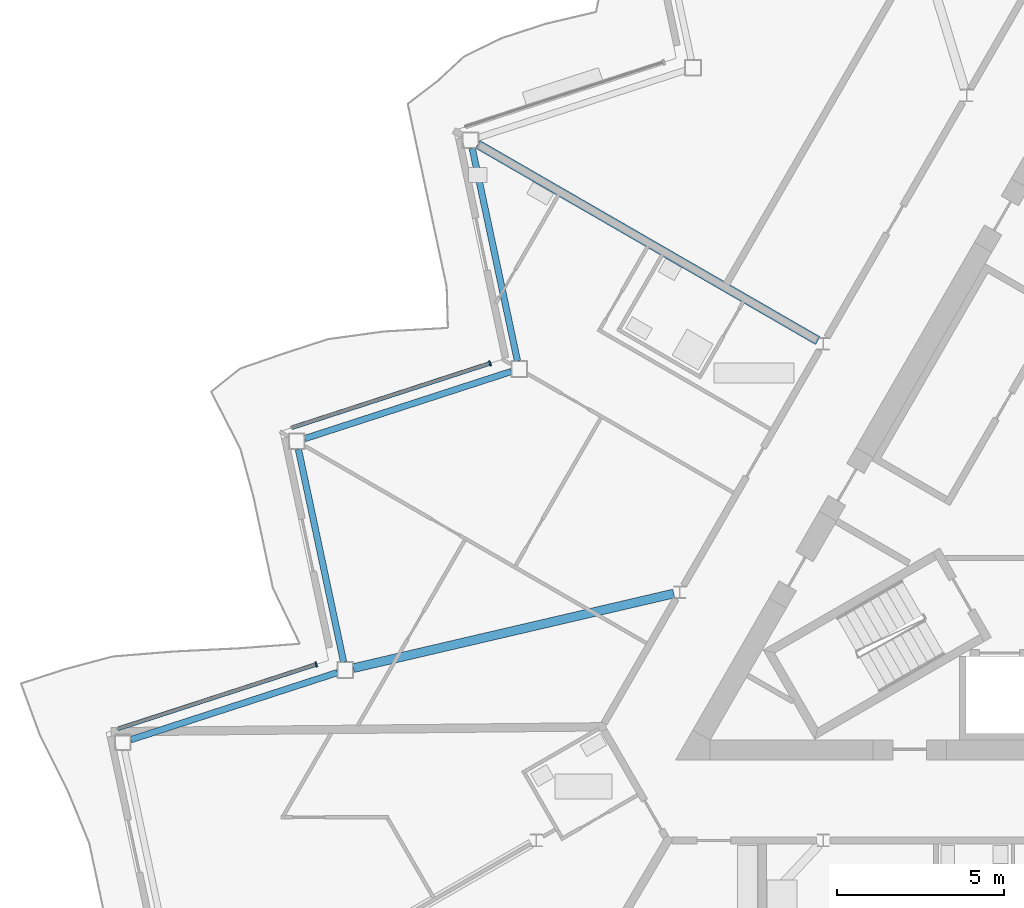
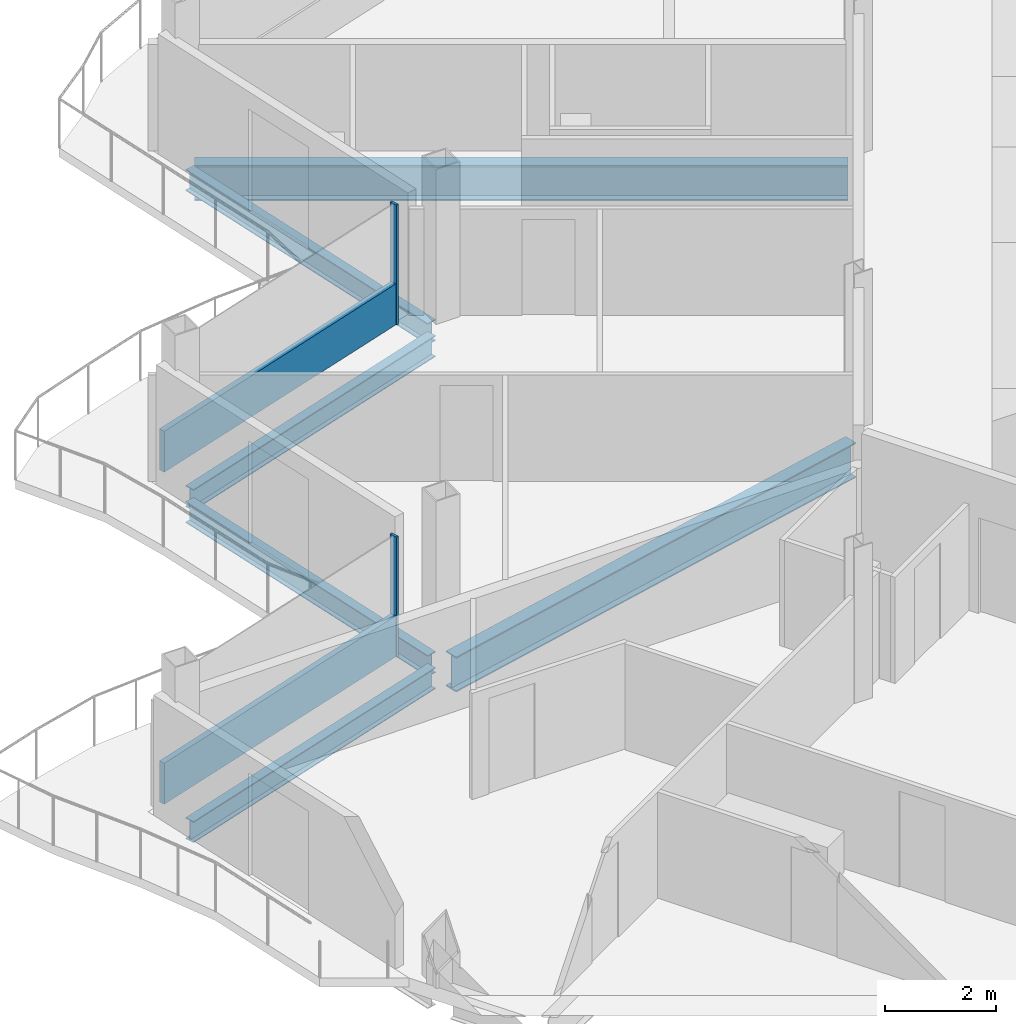
# One storey, part 6 of 26: 6 beams, 4 members, 2 elements without a shape of their own.
"""IFC4 building model written with IfcOpenShell, lengths in metres."""

from ifc_helpers import new_model, si_unit, direction, frame, origin, origin_2d, place, context, subcontext, project, spatial, rectangle, i_section, extrude, material, layer, layer_set, material_profile, profile_set, type_object, element, aggregate, save


model = new_model("IFC4")

# Units and contexts
model_context = context("Model", 3, precision=1e-05, world=origin(), true_north=direction((0.0, 1.0)))
body_context = subcontext(model_context, "Body", "Model", "MODEL_VIEW")
ifc_project = project(units=[si_unit("LENGTHUNIT", "METRE"), si_unit("AREAUNIT", "SQUARE_METRE"), si_unit("VOLUMEUNIT", "CUBIC_METRE"), si_unit("PLANEANGLEUNIT", "RADIAN"), si_unit("MASSUNIT", "GRAM", prefix="KILO")], contexts=[model_context])

# Site, building, storey
site_placement = place(None, origin())
site = spatial("IfcSite", under=ifc_project, at=site_placement, CompositionType="ELEMENT")
building_placement = place(site_placement, origin())
building = spatial("IfcBuilding", under=site, at=building_placement, Name="Cormorant Prow Tower", CompositionType="ELEMENT")
storey_placement = place(building_placement, frame((0.0, 0.0, 378.0)))
storey = spatial("IfcBuildingStorey", under=building, at=storey_placement, Name="L85", CompositionType="ELEMENT", Elevation=378.0)

# Beams
ifc_material_1 = material(Name="Structural steel ASTM A992 Gr 50", Category="steel")
ifc_material_profile_1 = material_profile(ifc_material_1, i_section(OverallWidth=0.267822265625, OverallDepth=0.77001953125, WebThickness=0.015625, FlangeThickness=0.025390625, at=origin_2d()), Name="W30x132")
ifc_profile_set_1 = profile_set([ifc_material_profile_1], Name="Structural steel ASTM A992 Gr 50")
beam_type_1 = type_object("IfcBeamType", Name="Radial floor beam W30x132", PredefinedType="BEAM", material=ifc_profile_set_1)
beam_1_placement = place(storey_placement, frame((-8.740478515625, 5.04638671875, -0.68505859375), z_axis=(-0.866026702285, 0.499997750924, 0.0), x_axis=(-0.499997750924, -0.866026702285, 0.0)))
element("IfcBeam", 1, at=beam_1_placement, inside=storey, type_object=beam_type_1, Name="Radial floor beam FB3 3 L85", PredefinedType="BEAM", context=body_context, shape_type="SweptSolid", body=[
    extrude(i_section(OverallWidth=0.267822265625, OverallDepth=0.77001953125, WebThickness=0.015625, FlangeThickness=0.025390625, at=origin_2d()), origin(), (0.0, 0.0, 1.0), 11.7451171875),
])
beam_2_placement = place(storey_placement, frame((-13.0498046875, -2.518798828125, -0.68505859375), z_axis=(-0.973926084128, -0.226865560752, 0.0), x_axis=(0.226865560752, -0.973926084128, 0.0)))
element("IfcBeam", 2, at=beam_2_placement, inside=storey, type_object=beam_type_1, Name="Radial floor beam FB3 4 L85", PredefinedType="BEAM", context=body_context, shape_type="SweptSolid", body=[
    extrude(i_section(OverallWidth=0.267822265625, OverallDepth=0.77001953125, WebThickness=0.015625, FlangeThickness=0.025390625, at=origin_2d()), origin(), (0.0, 0.0, 1.0), 9.837158203125),
])

# Curtain wall, member
ifc_material_2 = material(Name="Aluminium 6063-T6", Category="aluminium")
ifc_layer = layer(ifc_material_2, 0.159912109375)
ifc_layer_set = layer_set([ifc_layer], Name="Aluminium 6063-T6")
curtain_wall_type = type_object("IfcCurtainWallType", Name="Residential unitised curtain wall 160", PredefinedType="NOTDEFINED", material=ifc_layer_set)
curtain_wall_1_placement = place(storey_placement, origin())
curtain_wall_1 = element("IfcCurtainWall", 3, at=curtain_wall_1_placement, inside=storey, type_object=curtain_wall_type, Name="Residential curtain wall WNW06", PredefinedType="NOTDEFINED")
ifc_material_3 = material(Name="Aluminium 6063-T6", Category="aluminium")
ifc_material_profile_2 = material_profile(ifc_material_3, rectangle(XDim=0.159912109375, YDim=0.050048828125, at=origin_2d()), Name="Residential mullion 50x160")
ifc_profile_set_2 = profile_set([ifc_material_profile_2], Name="Aluminium 6063-T6")
member_type_1 = type_object("IfcMemberType", Name="Residential mullion 50x160", PredefinedType="MULLION", material=ifc_profile_set_2)
member_1_placement = place(storey_placement, frame((-18.546142578125, 4.36767578125, 0.0), z_axis=(0.0, 0.0, 1.0), x_axis=(0.309017066365, -0.951056492904, 0.0)))
member_1 = element("IfcMember", 4, at=member_1_placement, type_object=member_type_1, Name="Residential mullion WNW06", PredefinedType="MULLION", context=body_context, shape_type="SweptSolid", body=[
    extrude(rectangle(XDim=0.159912109375, YDim=0.050048828125, at=origin_2d()), origin(), (0.0, 0.0, 1.0), 2.6337890625),
])

curtain_wall_2_placement = place(storey_placement, origin())
curtain_wall_2 = element("IfcCurtainWall", 5, at=curtain_wall_2_placement, inside=storey, type_object=curtain_wall_type, Name="Residential curtain wall WNW08", PredefinedType="NOTDEFINED")
member_2_placement = place(storey_placement, frame((-23.74609375, -4.63916015625, 0.0), z_axis=(0.0, 0.0, 1.0), x_axis=(0.309017066365, -0.951056492904, 0.0)))
member_2 = element("IfcMember", 6, at=member_2_placement, type_object=member_type_1, Name="Residential mullion WNW08", PredefinedType="MULLION", context=body_context, shape_type="SweptSolid", body=[
    extrude(rectangle(XDim=0.159912109375, YDim=0.050048828125, at=origin_2d()), origin(), (0.0, 0.0, 1.0), 2.6337890625),
])

# Member
ifc_material_4 = material(Name="Terracotta", Category="masonry")
ifc_material_profile_3 = material_profile(ifc_material_4, rectangle(XDim=0.1201171875, YDim=0.89990234375, at=origin_2d()), Name="Residential terracotta spandrel rail 120x900")
ifc_profile_set_3 = profile_set([ifc_material_profile_3], Name="Terracotta")
member_type_2 = type_object("IfcMemberType", Name="Residential terracotta spandrel rail 120x900", PredefinedType="USERDEFINED", material=ifc_profile_set_3)
member_3_placement = place(storey_placement, frame((-18.56982421875, 4.35986328125, 0.449951171875), z_axis=(-0.951056004715, -0.309018568854, 0.0), x_axis=(0.309018568854, -0.951056004715, 0.0)))
member_3 = element("IfcMember", 7, at=member_3_placement, type_object=member_type_2, Name="Residential spandrel rail WNW06", ObjectType="TRANSOM", PredefinedType="USERDEFINED", context=body_context, shape_type="SweptSolid", body=[
    extrude(rectangle(XDim=0.1201171875, YDim=0.89990234375, at=origin_2d()), origin(), (0.0, 0.0, 1.0), 6.21533203125),
])

aggregate(curtain_wall_1, [member_1, member_3])

member_4_placement = place(storey_placement, frame((-23.769775390625, -4.646728515625, 0.449951171875), z_axis=(-0.951056004715, -0.309018568854, 0.0), x_axis=(0.309018568854, -0.951056004715, 0.0)))
member_4 = element("IfcMember", 8, at=member_4_placement, type_object=member_type_2, Name="Residential spandrel rail WNW08", ObjectType="TRANSOM", PredefinedType="USERDEFINED", context=body_context, shape_type="SweptSolid", body=[
    extrude(rectangle(XDim=0.1201171875, YDim=0.89990234375, at=origin_2d()), origin(), (0.0, 0.0, 1.0), 6.21533203125),
])

aggregate(curtain_wall_2, [member_2, member_4])

# Beams
ifc_material_5 = material(Name="Structural steel ASTM A992 Gr 50", Category="steel")
ifc_material_profile_4 = material_profile(ifc_material_5, i_section(OverallWidth=0.19287109375, OverallDepth=0.466064453125, WebThickness=0.011474609375, FlangeThickness=0.01904296875, at=origin_2d()), Name="W18x65")
ifc_profile_set_4 = profile_set([ifc_material_profile_4], Name="Structural steel ASTM A992 Gr 50")
beam_type_2 = type_object("IfcBeamType", Name="Spandrel beam W18x65", PredefinedType="SPANDREL", material=ifc_profile_set_4)
for number, where, z_axis, x_axis, name in (
    (9, (-19.07666015625, 10.79931640625, -0.532958984375), (0.207909538847, -0.978148058147, 0.0), (0.978148058147, 0.207909538847, 0.0), "Spandrel beam SB4 WNW05-WNW06 L85"),
    (10, (-17.91162109375, 4.122314453125, -0.532958984375), (-0.951053396625, -0.309026595569, 0.0), (0.309026595569, -0.951053396625, 0.0), "Spandrel beam SB4 WNW06-WNW07 L85"),
    (11, (-24.276611328125, 1.792724609375, -0.532958984375), (0.207909538847, -0.978148058147, 0.0), (0.978148058147, 0.207909538847, 0.0), "Spandrel beam SB4 WNW07-WNW08 L85"),
    (12, (-23.111572265625, -4.88427734375, -0.532958984375), (-0.951053396625, -0.309026595569, 0.0), (0.309026595569, -0.951053396625, 0.0), "Spandrel beam SB4 WNW08-WNW09 L85"),
):
    element("IfcBeam", number, at=place(storey_placement, frame(where, z_axis=z_axis, x_axis=x_axis)), inside=storey, type_object=beam_type_2, Name=name, PredefinedType="SPANDREL", context=body_context, shape_type="SweptSolid", body=[
        extrude(i_section(OverallWidth=0.19287109375, OverallDepth=0.466064453125, WebThickness=0.011474609375, FlangeThickness=0.01904296875, at=origin_2d()), origin(), (0.0, 0.0, 1.0), 6.497314453125),
    ])

save(model, "model.ifc")
